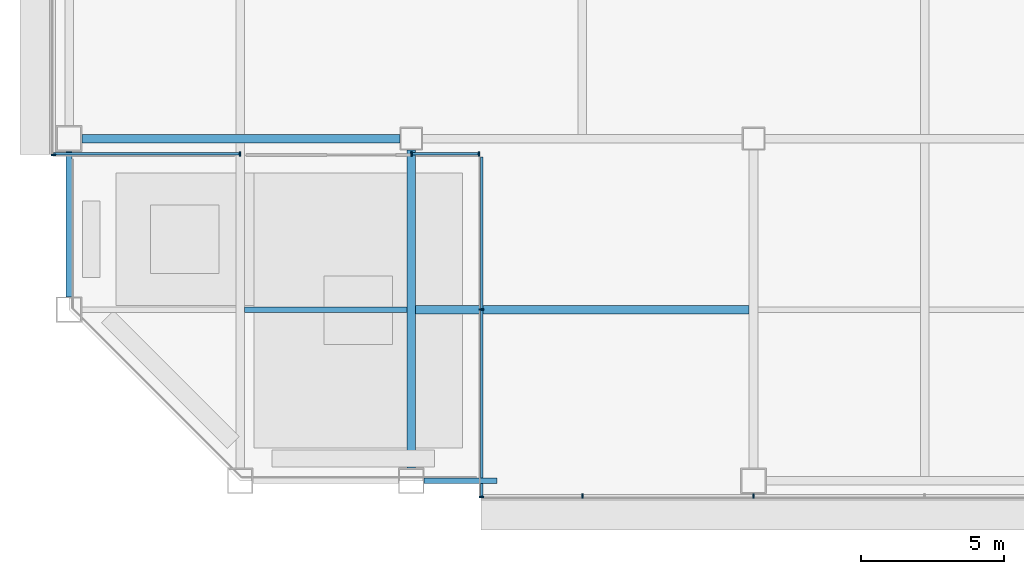
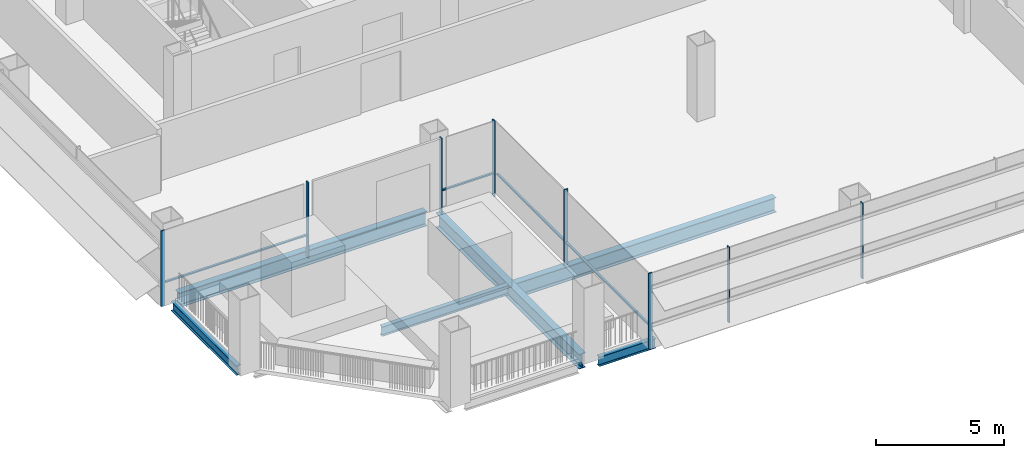
# One storey, part 2 of 28: 11 members, 6 beams, 4 elements without a shape of their own.
"""IFC4 building model written with IfcOpenShell, lengths in metres."""

from ifc_helpers import new_model, si_unit, direction, frame, origin, origin_2d, place, context, subcontext, project, spatial, rectangle, i_section, extrude, material, material_profile, profile_set, type_object, element, aggregate, save


model = new_model("IFC4")

# Units and contexts
model_context = context("Model", 3, precision=1e-05, world=origin(), true_north=direction((0.0, 1.0)))
body_context = subcontext(model_context, "Body", "Model", "MODEL_VIEW")
ifc_project = project(units=[si_unit("LENGTHUNIT", "METRE"), si_unit("AREAUNIT", "SQUARE_METRE"), si_unit("VOLUMEUNIT", "CUBIC_METRE"), si_unit("PLANEANGLEUNIT", "RADIAN"), si_unit("MASSUNIT", "GRAM", prefix="KILO")], contexts=[model_context])

# Site, building, storey
site_placement = place(None, origin())
site = spatial("IfcSite", under=ifc_project, at=site_placement, CompositionType="ELEMENT")
building_placement = place(site_placement, origin())
building = spatial("IfcBuilding", under=site, at=building_placement, Name="Sorahane Residences", CompositionType="ELEMENT")
storey_placement = place(building_placement, frame((0.0, 0.0, 60.60009765625)))
storey = spatial("IfcBuildingStorey", under=building, at=storey_placement, Name="L11", CompositionType="ELEMENT", Elevation=60.60009765625)

# Curtain wall, member
ifc_material_1 = material(Name="Dark low-e glass and black anodised aluminium", Category="aluminium")
curtain_wall_type = type_object("IfcCurtainWallType", Name="Curtain wall CW-1 Typical unitised wall", PredefinedType="NOTDEFINED", material=ifc_material_1)
curtain_wall_1_placement = place(storey_placement, origin())
curtain_wall_1 = element("IfcCurtainWall", 1, at=curtain_wall_1_placement, inside=storey, type_object=curtain_wall_type, Name="CW-1 curtain wall L11 W1", PredefinedType="NOTDEFINED")
ifc_material_2 = material(Name="Black anodised aluminium", Category="aluminium")
ifc_material_profile_1 = material_profile(ifc_material_2, rectangle(XDim=0.159912109375, YDim=0.050048828125, at=origin_2d()), Name="Curtain wall mullion CW-1 black anodised aluminium 50x160")
ifc_profile_set_1 = profile_set([ifc_material_profile_1], Name="Black anodised aluminium")
member_type_1 = type_object("IfcMemberType", Name="Curtain wall mullion CW-1 black anodised aluminium 50x160", PredefinedType="MULLION", material=ifc_profile_set_1)
member_1_placement = place(storey_placement, frame((-0.5400390625, 11.425048828125, -0.18017578125), z_axis=(0.0, 0.0, 1.0), x_axis=(-1.0, 0.0, 0.0)))
member_1 = element("IfcMember", 2, at=member_1_placement, type_object=member_type_1, Name="CW-1 mullion L11 W1.6", PredefinedType="MULLION", context=body_context, shape_type="SweptSolid", body=[
    extrude(rectangle(XDim=0.159912109375, YDim=0.050048828125, at=origin_2d()), origin(), (0.0, 0.0, 1.0), 3.60009765625),
])
aggregate(curtain_wall_1, [member_1])

# Curtain wall, members
curtain_wall_2_placement = place(storey_placement, origin())
curtain_wall_2 = element("IfcCurtainWall", 3, at=curtain_wall_2_placement, inside=storey, type_object=curtain_wall_type, Name="CW-1 curtain wall L11 S1", PredefinedType="NOTDEFINED")
member_2_placement = place(storey_placement, frame((6.0, 11.4599609375, -0.18017578125), z_axis=(0.0, 0.0, 1.0), x_axis=(0.0, -1.0, 0.0)))
member_2 = element("IfcMember", 4, at=member_2_placement, type_object=member_type_1, Name="CW-1 mullion L11 S1.2", PredefinedType="MULLION", context=body_context, shape_type="SweptSolid", body=[
    extrude(rectangle(XDim=0.159912109375, YDim=0.050048828125, at=origin_2d()), origin(), (0.0, 0.0, 1.0), 3.60009765625),
])
member_3_placement = place(storey_placement, frame((12.0, 11.4599609375, -0.18017578125), z_axis=(0.0, 0.0, 1.0), x_axis=(0.0, -1.0, 0.0)))
member_3 = element("IfcMember", 5, at=member_3_placement, type_object=member_type_1, Name="CW-1 mullion L11 S1.3", PredefinedType="MULLION", context=body_context, shape_type="SweptSolid", body=[
    extrude(rectangle(XDim=0.159912109375, YDim=0.050048828125, at=origin_2d()), origin(), (0.0, 0.0, 1.0), 3.60009765625),
])
member_4_placement = place(storey_placement, frame((14.375, 11.4599609375, -0.18017578125), z_axis=(0.0, 0.0, 1.0), x_axis=(0.0, -1.0, 0.0)))
member_4 = element("IfcMember", 6, at=member_4_placement, type_object=member_type_1, Name="CW-1 mullion L11 S1.4", PredefinedType="MULLION", context=body_context, shape_type="SweptSolid", body=[
    extrude(rectangle(XDim=0.159912109375, YDim=0.050048828125, at=origin_2d()), origin(), (0.0, 0.0, 1.0), 3.60009765625),
])

curtain_wall_3_placement = place(storey_placement, origin())
curtain_wall_3 = element("IfcCurtainWall", 7, at=curtain_wall_3_placement, inside=storey, type_object=curtain_wall_type, Name="CW-1 curtain wall L11 W2", PredefinedType="NOTDEFINED")
member_5_placement = place(storey_placement, frame((14.4599609375, 6.0, -0.18017578125), z_axis=(0.0, 0.0, 1.0), x_axis=(-1.0, 0.0, 0.0)))
member_5 = element("IfcMember", 8, at=member_5_placement, type_object=member_type_1, Name="CW-1 mullion L11 W2.2", PredefinedType="MULLION", context=body_context, shape_type="SweptSolid", body=[
    extrude(rectangle(XDim=0.159912109375, YDim=0.050048828125, at=origin_2d()), origin(), (0.0, 0.0, 1.0), 3.60009765625),
])
member_6_placement = place(storey_placement, frame((14.4599609375, -0.574951171875, -0.18017578125), z_axis=(0.0, 0.0, 1.0), x_axis=(-1.0, 0.0, 0.0)))
member_6 = element("IfcMember", 9, at=member_6_placement, type_object=member_type_1, Name="CW-1 mullion L11 W2.3", PredefinedType="MULLION", context=body_context, shape_type="SweptSolid", body=[
    extrude(rectangle(XDim=0.159912109375, YDim=0.050048828125, at=origin_2d()), origin(), (0.0, 0.0, 1.0), 3.60009765625),
])

curtain_wall_4_placement = place(storey_placement, origin())
curtain_wall_4 = element("IfcCurtainWall", 10, at=curtain_wall_4_placement, inside=storey, type_object=curtain_wall_type, Name="CW-1 curtain wall L11 S2", PredefinedType="NOTDEFINED")
member_7_placement = place(storey_placement, frame((18.0, -0.5400390625, -0.18017578125), z_axis=(0.0, 0.0, 1.0), x_axis=(0.0, -1.0, 0.0)))
member_7 = element("IfcMember", 11, at=member_7_placement, type_object=member_type_1, Name="CW-1 mullion L11 S2.2", PredefinedType="MULLION", context=body_context, shape_type="SweptSolid", body=[
    extrude(rectangle(XDim=0.159912109375, YDim=0.050048828125, at=origin_2d()), origin(), (0.0, 0.0, 1.0), 3.60009765625),
])
member_8_placement = place(storey_placement, frame((24.0, -0.5400390625, -0.18017578125), z_axis=(0.0, 0.0, 1.0), x_axis=(0.0, -1.0, 0.0)))
member_8 = element("IfcMember", 12, at=member_8_placement, type_object=member_type_1, Name="CW-1 mullion L11 S2.3", PredefinedType="MULLION", context=body_context, shape_type="SweptSolid", body=[
    extrude(rectangle(XDim=0.159912109375, YDim=0.050048828125, at=origin_2d()), origin(), (0.0, 0.0, 1.0), 3.60009765625),
])
aggregate(curtain_wall_4, [member_7, member_8])

# Member
ifc_material_3 = material(Name="Black anodised aluminium", Category="aluminium")
ifc_material_profile_2 = material_profile(ifc_material_3, rectangle(XDim=0.10009765625, YDim=0.06005859375, at=origin_2d()), Name="Curtain wall transom CW-1 black anodised aluminium 60x100")
ifc_profile_set_2 = profile_set([ifc_material_profile_2], Name="Black anodised aluminium")
member_type_2 = type_object("IfcMemberType", Name="Curtain wall transom CW-1 black anodised aluminium 60x100", PredefinedType="USERDEFINED", material=ifc_profile_set_2)
member_9_placement = place(storey_placement, frame((-0.550048828125, 11.469970703125, 0.89990234375), z_axis=(1.0, 0.0, 0.0), x_axis=(0.0, 1.0, 0.0)))
member_9 = element("IfcMember", 13, at=member_9_placement, type_object=member_type_2, Name="CW-1 transom L11 S1.1", ObjectType="TRANSOM", PredefinedType="USERDEFINED", context=body_context, shape_type="SweptSolid", body=[
    extrude(rectangle(XDim=0.10009765625, YDim=0.06005859375, at=origin_2d()), origin(), (0.0, 0.0, 1.0), 6.525146484375),
])

member_10_placement = place(storey_placement, frame((12.02490234375, 11.469970703125, 0.89990234375), z_axis=(1.0, 0.0, 0.0), x_axis=(0.0, 1.0, 0.0)))
member_10 = element("IfcMember", 14, at=member_10_placement, type_object=member_type_2, Name="CW-1 transom L11 S1.2", ObjectType="TRANSOM", PredefinedType="USERDEFINED", context=body_context, shape_type="SweptSolid", body=[
    extrude(rectangle(XDim=0.10009765625, YDim=0.06005859375, at=origin_2d()), origin(), (0.0, 0.0, 1.0), 2.3251953125),
])

aggregate(curtain_wall_2, [member_2, member_3, member_4, member_9, member_10])

member_11_placement = place(storey_placement, frame((14.469970703125, 11.35009765625, 0.89990234375), z_axis=(0.0, -1.0, 0.0), x_axis=(1.0, 0.0, 0.0)))
member_11 = element("IfcMember", 15, at=member_11_placement, type_object=member_type_2, Name="CW-1 transom L11 W2", ObjectType="TRANSOM", PredefinedType="USERDEFINED", context=body_context, shape_type="SweptSolid", body=[
    extrude(rectangle(XDim=0.10009765625, YDim=0.06005859375, at=origin_2d()), origin(), (0.0, 0.0, 1.0), 11.900146484375),
])

aggregate(curtain_wall_3, [member_5, member_6, member_11])

# Beams
ifc_material_4 = material(Name="Steel Q355B", Category="steel")
ifc_material_profile_3 = material_profile(ifc_material_4, i_section(OverallWidth=0.199951171875, OverallDepth=0.449951171875, WebThickness=0.009033203125, FlangeThickness=0.013916015625, FilletRadius=0.02001953125, at=origin_2d()), Name="HN 450x200x9x14")
ifc_profile_set_3 = profile_set([ifc_material_profile_3], Name="Steel Q355B")
beam_type_1 = type_object("IfcBeamType", Name="Steel floor beam HN 450x200x9x14 Q355B", PredefinedType="BEAM", material=ifc_profile_set_3)
beam_1_placement = place(storey_placement, frame((12.449951171875, 0.0, -0.405029296875), z_axis=(1.0, 0.0, 0.0), x_axis=(0.0, 1.0, 0.0)))
element("IfcBeam", 16, at=beam_1_placement, inside=storey, type_object=beam_type_1, Name="Beam L11 001", PredefinedType="BEAM", context=body_context, shape_type="SweptSolid", body=[
    extrude(i_section(OverallWidth=0.199951171875, OverallDepth=0.449951171875, WebThickness=0.009033203125, FlangeThickness=0.013916015625, FilletRadius=0.02001953125, at=origin_2d()), origin(), (0.0, 0.0, 1.0), 2.550048828125),
])
beam_2_placement = place(storey_placement, frame((0.0, 6.449951171875, -0.405029296875), z_axis=(0.0, 1.0, 0.0), x_axis=(-1.0, 0.0, 0.0)))
element("IfcBeam", 17, at=beam_2_placement, inside=storey, type_object=beam_type_1, Name="Beam L11 017", PredefinedType="BEAM", context=body_context, shape_type="SweptSolid", body=[
    extrude(i_section(OverallWidth=0.199951171875, OverallDepth=0.449951171875, WebThickness=0.009033203125, FlangeThickness=0.013916015625, FilletRadius=0.02001953125, at=origin_2d()), origin(), (0.0, 0.0, 1.0), 5.10009765625),
])
beam_3_placement = place(storey_placement, frame((6.14990234375, 6.0, -0.405029296875), z_axis=(1.0, 0.0, 0.0), x_axis=(0.0, 1.0, 0.0)))
element("IfcBeam", 18, at=beam_3_placement, inside=storey, type_object=beam_type_1, Name="Beam L11 061", PredefinedType="BEAM", context=body_context, shape_type="SweptSolid", body=[
    extrude(i_section(OverallWidth=0.199951171875, OverallDepth=0.449951171875, WebThickness=0.009033203125, FlangeThickness=0.013916015625, FilletRadius=0.02001953125, at=origin_2d()), origin(), (0.0, 0.0, 1.0), 5.7001953125),
])
ifc_material_5 = material(Name="Steel Q355B", Category="steel")
ifc_material_profile_4 = material_profile(ifc_material_5, i_section(OverallWidth=0.300048828125, OverallDepth=0.699951171875, WebThickness=0.012939453125, FlangeThickness=0.02392578125, FilletRadius=0.028076171875, at=origin_2d()), Name="HN 700x300x13x24")
ifc_profile_set_4 = profile_set([ifc_material_profile_4], Name="Steel Q355B")
beam_type_2 = type_object("IfcBeamType", Name="Steel floor beam HN 700x300x13x24 Q355B", PredefinedType="BEAM", material=ifc_profile_set_4)
for number, where, z_axis, x_axis, name in (
    (19, (0.449951171875, 12.0, -0.530029296875), (1.0, 0.0, 0.0), (0.0, 1.0, 0.0), "Beam L11 005"),
    (20, (12.0, 0.449951171875, -0.530029296875), (0.0, 1.0, 0.0), (-1.0, 0.0, 0.0), "Beam L11 027"),
):
    element("IfcBeam", number, at=place(storey_placement, frame(where, z_axis=z_axis, x_axis=x_axis)), inside=storey, type_object=beam_type_2, Name=name, PredefinedType="BEAM", context=body_context, shape_type="SweptSolid", body=[
        extrude(i_section(OverallWidth=0.300048828125, OverallDepth=0.699951171875, WebThickness=0.012939453125, FlangeThickness=0.02392578125, FilletRadius=0.028076171875, at=origin_2d()), origin(), (0.0, 0.0, 1.0), 11.150146484375),
    ])
beam_4_placement = place(storey_placement, frame((12.14990234375, 6.0, -0.530029296875), z_axis=(1.0, 0.0, 0.0), x_axis=(0.0, 1.0, 0.0)))
element("IfcBeam", 21, at=beam_4_placement, inside=storey, type_object=beam_type_2, Name="Beam L11 062", PredefinedType="BEAM", context=body_context, shape_type="SweptSolid", body=[
    extrude(i_section(OverallWidth=0.300048828125, OverallDepth=0.699951171875, WebThickness=0.012939453125, FlangeThickness=0.02392578125, FilletRadius=0.028076171875, at=origin_2d()), origin(), (0.0, 0.0, 1.0), 11.7001953125),
])

save(model, "model.ifc")
